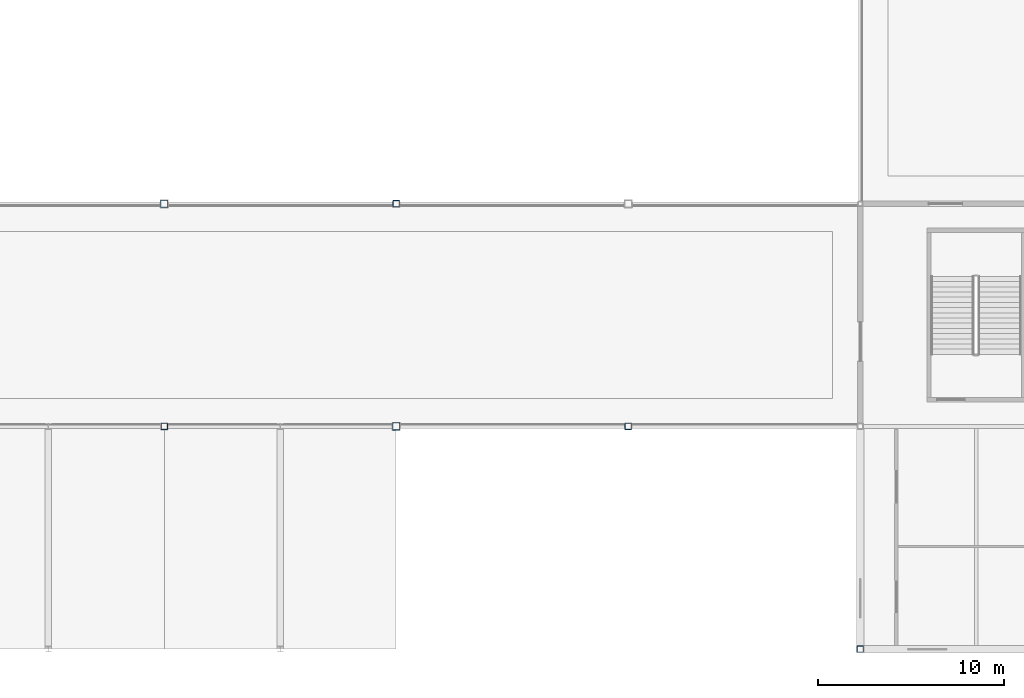
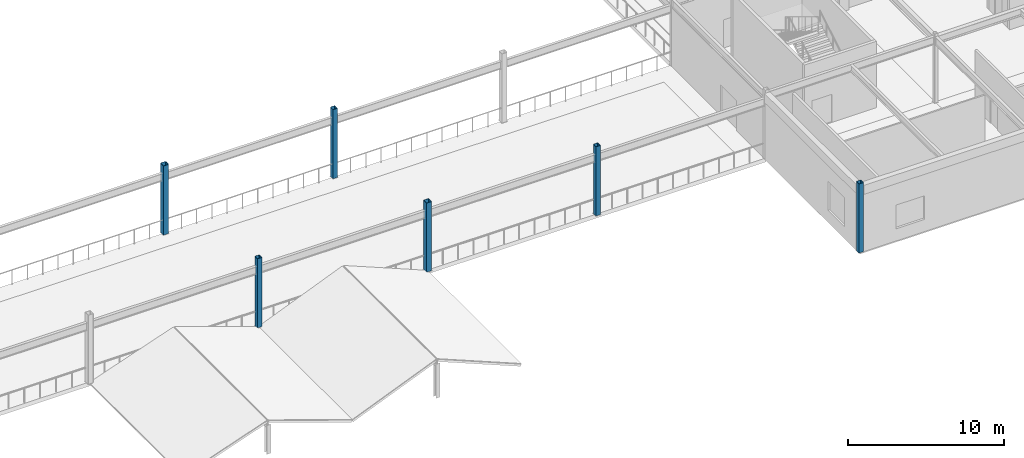
# One storey, part 12 of 105: 6 columns.
"""IFC4 building model written with IfcOpenShell, lengths in metres."""

from ifc_helpers import new_model, si_unit, direction, frame, origin, origin_2d, place, context, subcontext, project, spatial, hollow_rectangle, extrude, material, material_profile, profile_set, type_object, element, save


model = new_model("IFC4")

# Units and contexts
model_context = context("Model", 3, precision=1e-05, world=origin(), true_north=direction((0.0, 1.0)))
body_context = subcontext(model_context, "Body", "Model", "MODEL_VIEW")
ifc_project = project(units=[si_unit("LENGTHUNIT", "METRE"), si_unit("AREAUNIT", "SQUARE_METRE"), si_unit("VOLUMEUNIT", "CUBIC_METRE"), si_unit("PLANEANGLEUNIT", "RADIAN"), si_unit("MASSUNIT", "GRAM", prefix="KILO")], contexts=[model_context])

# Site, building, storey
site_placement = place(None, origin())
site = spatial("IfcSite", under=ifc_project, at=site_placement, CompositionType="ELEMENT")
building_placement = place(site_placement, origin())
building = spatial("IfcBuilding", under=site, at=building_placement, Name="Kazenohara Klinker Stadium", CompositionType="ELEMENT")
storey_placement = place(building_placement, frame((0.0, 0.0, 20.39990234375)))
storey = spatial("IfcBuildingStorey", under=building, at=storey_placement, Name="L04", CompositionType="ELEMENT", Elevation=20.39990234375)

# Columns
ifc_material = material(Name="Steel S355", Category="steel")
ifc_material_profile_1 = material_profile(ifc_material, hollow_rectangle(XDim=0.39990234375, YDim=0.39990234375, WallThickness=0.01611328125, InnerFilletRadius=0.01611328125, OuterFilletRadius=0.031982421875, at=origin_2d()), Name="SHS-400x400x16")
ifc_profile_set_1 = profile_set([ifc_material_profile_1], Name="Steel S355")
column_type_1 = type_object("IfcColumnType", Name="COL-ST01", PredefinedType="COLUMN", material=ifc_profile_set_1)
for number, where, z_axis, x_axis, name in (
    (1, (137.5, 36.0, 0.0), (0.0, 0.0, 1.0), (1.0, 0.0, 0.0), "Canopy ring support column SC01 L04 12/D"),
    (2, (150.0, 24.0, 0.0), (0.0, 0.0, 1.0), (1.0, 0.0, 0.0), "Canopy ring support column SC01 L04 13/C"),
):
    element("IfcColumn", number, at=place(storey_placement, frame(where, z_axis=z_axis, x_axis=x_axis)), inside=storey, type_object=column_type_1, Name=name, PredefinedType="COLUMN", context=body_context, shape_type="SweptSolid", body=[
        extrude(hollow_rectangle(XDim=0.39990234375, YDim=0.39990234375, WallThickness=0.01611328125, InnerFilletRadius=0.01611328125, OuterFilletRadius=0.031982421875, at=origin_2d()), origin(), (0.0, 0.0, 1.0), 5.400146484375),
    ])
ifc_material_profile_2 = material_profile(ifc_material, hollow_rectangle(XDim=0.35009765625, YDim=0.35009765625, WallThickness=0.01611328125, InnerFilletRadius=0.01611328125, OuterFilletRadius=0.031982421875, at=origin_2d()), Name="SHS-350x350x16")
ifc_profile_set_2 = profile_set([ifc_material_profile_2], Name="Steel S355")
column_type_2 = type_object("IfcColumnType", Name="COL-ST02", PredefinedType="COLUMN", material=ifc_profile_set_2)
for number, where, z_axis, x_axis, name in (
    (3, (175.0, 12.0, 0.0), (0.0, 0.0, 1.0), (1.0, 0.0, 0.0), "Column SC02 L04 15/B"),
    (4, (137.5, 24.0, 0.0), (0.0, 0.0, 1.0), (1.0, 0.0, 0.0), "Canopy ring support column SC02 L04 12/C"),
    (5, (150.0, 36.0, 0.0), (0.0, 0.0, 1.0), (1.0, 0.0, 0.0), "Canopy ring support column SC02 L04 13/D"),
    (6, (162.5, 24.0, 0.0), (0.0, 0.0, 1.0), (1.0, 0.0, 0.0), "Canopy ring support column SC02 L04 14/C"),
):
    element("IfcColumn", number, at=place(storey_placement, frame(where, z_axis=z_axis, x_axis=x_axis)), inside=storey, type_object=column_type_2, Name=name, PredefinedType="COLUMN", context=body_context, shape_type="SweptSolid", body=[
        extrude(hollow_rectangle(XDim=0.35009765625, YDim=0.35009765625, WallThickness=0.01611328125, InnerFilletRadius=0.01611328125, OuterFilletRadius=0.031982421875, at=origin_2d()), origin(), (0.0, 0.0, 1.0), 5.400146484375),
    ])

save(model, "model.ifc")
